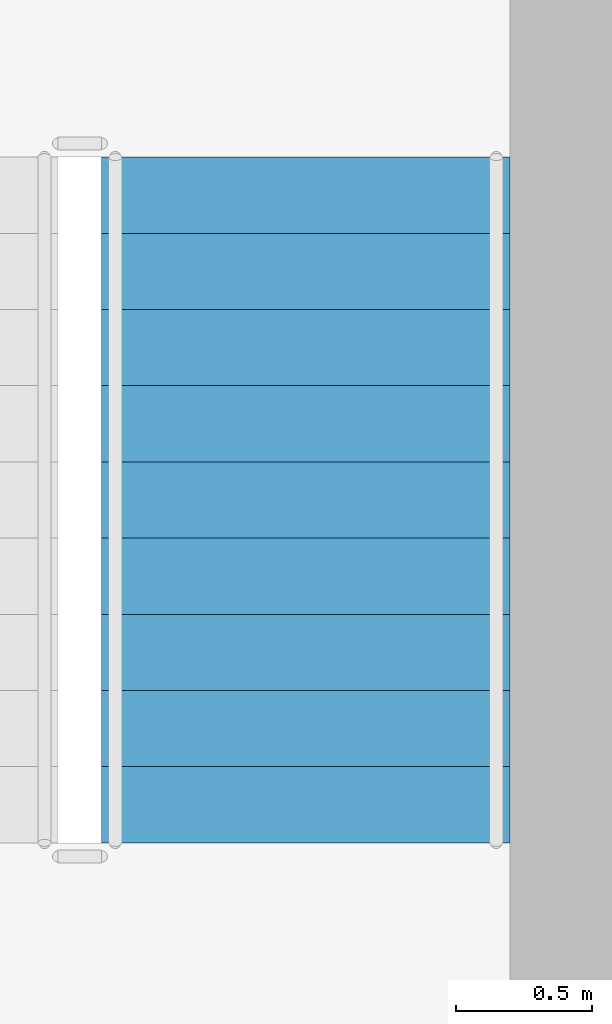
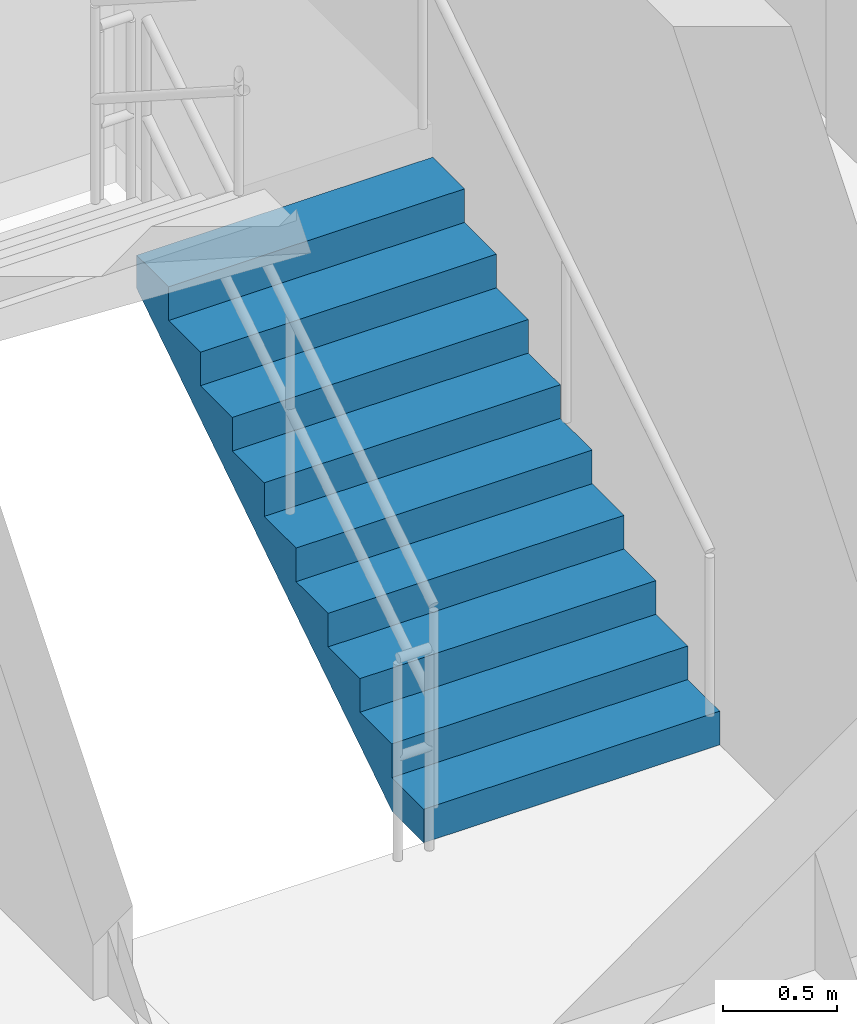
# One storey, part 12 of 14: 1 stair flight, 1 element without a shape of its own.
"""IFC4 building model written with IfcOpenShell, lengths in metres."""

from ifc_helpers import new_model, si_unit, derived_unit, direction, frame, origin, place, context, subcontext, project, spatial, polyline, outline, extrude, material, type_object, element, aggregate, save


model = new_model("IFC4")

# Units and contexts
model_context = context("Model", 3, precision=1e-05, world=origin(), true_north=direction((0.0, 1.0)))
body_context = subcontext(model_context, "Body", "Model", "MODEL_VIEW")
ifc_project = project(units=[si_unit("LENGTHUNIT", "METRE"), si_unit("AREAUNIT", "SQUARE_METRE"), si_unit("VOLUMEUNIT", "CUBIC_METRE"), si_unit("PLANEANGLEUNIT", "RADIAN"), si_unit("MASSUNIT", "GRAM", prefix="KILO"), derived_unit("THERMALTRANSMITTANCEUNIT", [(si_unit("POWERUNIT", "WATT"), 1), (si_unit("LENGTHUNIT", "METRE"), -2), (si_unit("THERMODYNAMICTEMPERATUREUNIT", "KELVIN"), -1)])], contexts=[model_context])

# Site, building, storey
site_placement = place(None, origin())
site = spatial("IfcSite", under=ifc_project, at=site_placement, CompositionType="ELEMENT")
building_placement = place(site_placement, origin())
building = spatial("IfcBuilding", under=site, at=building_placement, Name="Korsvarv Bourse and Concert Hall", CompositionType="ELEMENT")
storey_placement = place(building_placement, frame((0.0, 0.0, 186.60009765625)))
storey = spatial("IfcBuildingStorey", under=building, at=storey_placement, Name="L48", CompositionType="ELEMENT", Elevation=186.60009765625)

# Stair, stair flight
ifc_material = material(Name="Precast concrete C45/55", Category="concrete")
stair_type = type_object("IfcStairType", Name="STR-TYPE-04", PredefinedType="HALF_TURN_STAIR", material=ifc_material)
stair_placement = place(storey_placement, origin())
stair = element("IfcStair", 1, at=stair_placement, inside=storey, type_object=stair_type, Name="L48 Tower East Exit Stair ST-T2", PredefinedType="HALF_TURN_STAIR")
stair_flight_type = type_object("IfcStairFlightType", Name="FLT-TYPE-04", PredefinedType="STRAIGHT", material=ifc_material)
stair_flight_placement = place(storey_placement, frame((43.64990234375, 40.0, 0.0), z_axis=(0.0, 0.0, 1.0), x_axis=(0.0, 1.0, 0.0)))
stair_flight = element("IfcStairFlight", 2, at=stair_flight_placement, type_object=stair_flight_type, Name="ST-T2 flight 1", NumberOfRisers=10, NumberOfTreads=9, PredefinedType="STRAIGHT", RiserHeight=0.18, TreadLength=0.28, context=body_context, shape_type="SweptSolid", body=[
    extrude(outline(polyline([(0.0, 0.0), (0.0, 0.179931640625), (0.280029296875, 0.179931640625), (0.280029296875, 0.360107421875), (0.56005859375, 0.360107421875), (0.56005859375, 0.5400390625), (0.840087890625, 0.5400390625), (0.840087890625, 0.719970703125), (1.1201171875, 0.719970703125), (1.1201171875, 0.89990234375), (1.39990234375, 0.89990234375), (1.39990234375, 1.080078125), (1.679931640625, 1.080078125), (1.679931640625, 1.260009765625), (1.9599609375, 1.260009765625), (1.9599609375, 1.43994140625), (2.239990234375, 1.43994140625), (2.239990234375, 1.6201171875), (2.52001953125, 1.6201171875), (2.52001953125, 1.800048828125), (2.52001953125, 1.44189453125), (0.277099609375, 0.0), (0.0, 0.0)])), frame((0.0, 0.75, 0.0), z_axis=(0.0, -1.0, 0.0), x_axis=(1.0, 0.0, 0.0)), (0.0, 0.0, 1.0), 1.5),
])
aggregate(stair, [stair_flight])

save(model, "model.ifc")
